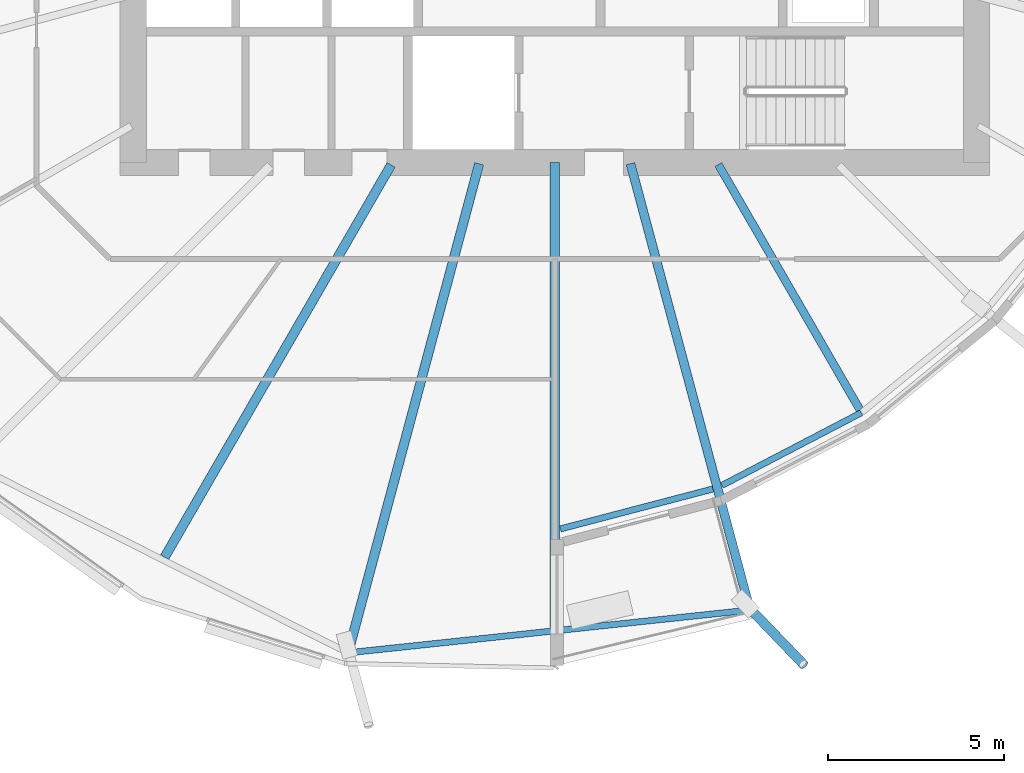
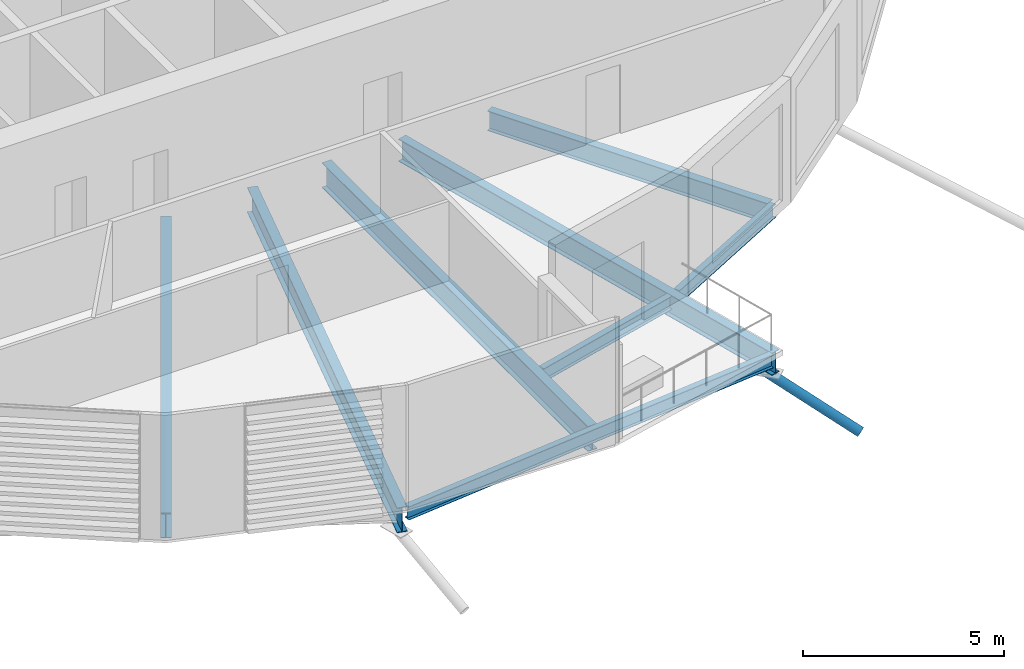
# One storey, part 13 of 43: 8 beams, 1 member.
"""IFC4 building model written with IfcOpenShell, lengths in metres."""

from ifc_helpers import new_model, si_unit, direction, frame, origin, origin_2d, place, context, subcontext, project, spatial, hollow_circle, i_section, extrude, clip, halfspace, material, material_profile, profile_set, type_object, element, save


model = new_model("IFC4")

# Units and contexts
model_context = context("Model", 3, precision=1e-05, world=origin(), true_north=direction((0.0, 1.0)))
body_context = subcontext(model_context, "Body", "Model", "MODEL_VIEW")
ifc_project = project(units=[si_unit("LENGTHUNIT", "METRE"), si_unit("AREAUNIT", "SQUARE_METRE"), si_unit("VOLUMEUNIT", "CUBIC_METRE"), si_unit("PLANEANGLEUNIT", "RADIAN"), si_unit("MASSUNIT", "GRAM", prefix="KILO")], contexts=[model_context])

# Site, building, storey
site_placement = place(None, origin())
site = spatial("IfcSite", under=ifc_project, at=site_placement, CompositionType="ELEMENT")
building_placement = place(site_placement, origin())
building = spatial("IfcBuilding", under=site, at=building_placement, Name="Rimbun Link Towers", CompositionType="ELEMENT")
storey_placement = place(building_placement, frame((0.0, 0.0, 81.60009765625)))
storey = spatial("IfcBuildingStorey", under=building, at=storey_placement, Name="L19", CompositionType="ELEMENT", Elevation=81.60009765625)

# Member
ifc_material_1 = material(Name="Steel S355J2H", Category="steel")
ifc_material_profile_1 = material_profile(ifc_material_1, hollow_circle(Radius=0.136474609375, WallThickness=0.012451171875, at=origin_2d()), Name="CHS 273x12.5")
ifc_profile_set_1 = profile_set([ifc_material_profile_1], Name="Steel S355J2H")
member_type = type_object("IfcMemberType", Name="Floor edge link CHS 273x12.5", PredefinedType="BRACE", material=ifc_profile_set_1)
member_placement = place(storey_placement, frame((37.293701171875, -20.688720703125, -0.96240234375), z_axis=(0.605942405164, -0.629721705224, -0.486090912889), x_axis=(0.720581030435, 0.693370736747, 0.0)))
element("IfcMember", 1, at=member_placement, inside=storey, type_object=member_type, Name="Floor edge link T2 L19 16", PredefinedType="BRACE", context=body_context, shape_type="Clipping", body=[
    clip(extrude(hollow_circle(Radius=0.136474609375, WallThickness=0.012451171875, at=origin_2d()), frame((0.0, 0.0, -0.511474609375)), (0.0, 0.0, 1.0), 3.06787109375), halfspace(frame((0.0, 0.0, -0.240234375), z_axis=(0.0, 0.873908247133, -0.486090912889)), False)),
])

# Beams
ifc_material_2 = material(Name="Steel S355J2", Category="steel")
ifc_material_profile_2 = material_profile(ifc_material_2, i_section(OverallWidth=0.177978515625, OverallDepth=0.406494140625, WebThickness=0.0078125, FlangeThickness=0.0126953125, at=origin_2d()), Name="UB 406x178x60")
ifc_profile_set_2 = profile_set([ifc_material_profile_2], Name="Steel S355J2")
beam_type_1 = type_object("IfcBeamType", Name="UB 406x178x60", PredefinedType="BEAM", material=ifc_profile_set_2)
beam_1_placement = place(storey_placement, frame((26.010498046875, -21.939208984375, -0.36328125), z_axis=(0.994384484621, 0.105827674759, 0.0), x_axis=(-0.105827674759, 0.994384484621, 0.0)))
element("IfcBeam", 2, at=beam_1_placement, inside=storey, type_object=beam_type_1, Name="Edge beam T2 L19 14-16", PredefinedType="BEAM", context=body_context, shape_type="SweptSolid", body=[
    extrude(i_section(OverallWidth=0.177978515625, OverallDepth=0.406494140625, WebThickness=0.0078125, FlangeThickness=0.0126953125, at=origin_2d()), origin(), (0.0, 0.0, 1.0), 11.230224609375),
])
beam_2_placement = place(storey_placement, frame((31.906982421875, -18.428955078125, -0.36328125), z_axis=(0.96737952101, 0.253331526524, 0.0), x_axis=(-0.253331526524, 0.96737952101, 0.0)))
element("IfcBeam", 3, at=beam_2_placement, inside=storey, type_object=beam_type_1, Name="Edge beam T2 L19 15 recess", PredefinedType="BEAM", context=body_context, shape_type="SweptSolid", body=[
    extrude(i_section(OverallWidth=0.177978515625, OverallDepth=0.406494140625, WebThickness=0.0078125, FlangeThickness=0.0126953125, at=origin_2d()), origin(), (0.0, 0.0, 1.0), 4.489990234375),
])
beam_3_placement = place(storey_placement, frame((36.50830078125, -17.189208984375, -0.36328125), z_axis=(0.886725112415, 0.4622970636, 0.0), x_axis=(-0.4622970636, 0.886725112415, 0.0)))
element("IfcBeam", 4, at=beam_3_placement, inside=storey, type_object=beam_type_1, Name="Edge beam T2 L19 16 recess", PredefinedType="BEAM", context=body_context, shape_type="SweptSolid", body=[
    extrude(i_section(OverallWidth=0.177978515625, OverallDepth=0.406494140625, WebThickness=0.0078125, FlangeThickness=0.0126953125, at=origin_2d()), origin(), (0.0, 0.0, 1.0), 4.4677734375),
])
ifc_material_3 = material(Name="Steel S355J2", Category="steel")
ifc_material_profile_3 = material_profile(ifc_material_3, i_section(OverallWidth=0.2275390625, OverallDepth=0.6025390625, WebThickness=0.010498046875, FlangeThickness=0.014892578125, at=origin_2d()), Name="UB 610x229x101")
ifc_profile_set_3 = profile_set([ifc_material_profile_3], Name="Steel S355J2")
beam_type_2 = type_object("IfcBeamType", Name="UB 610x229x101", PredefinedType="BEAM", material=ifc_profile_set_3)
beam_4_placement = place(storey_placement, frame((36.402099609375, -8.057861328125, -0.46142578125), z_axis=(0.500001141088, -0.866024744976, 0.0), x_axis=(0.866024744976, 0.500001141088, 0.0)))
element("IfcBeam", 5, at=beam_4_placement, inside=storey, type_object=beam_type_2, Name="Radial beam T2 L19 17", PredefinedType="BEAM", context=body_context, shape_type="SweptSolid", body=[
    extrude(i_section(OverallWidth=0.2275390625, OverallDepth=0.6025390625, WebThickness=0.010498046875, FlangeThickness=0.014892578125, at=origin_2d()), origin(), (0.0, 0.0, 1.0), 8.0634765625),
])
ifc_material_4 = material(Name="Steel S355J2", Category="steel")
ifc_material_profile_4 = material_profile(ifc_material_4, i_section(OverallWidth=0.253662109375, OverallDepth=0.68359375, WebThickness=0.012451171875, FlangeThickness=0.01904296875, at=origin_2d()), Name="UB 686x254x140")
ifc_profile_set_4 = profile_set([ifc_material_profile_4], Name="Steel S355J2")
beam_type_3 = type_object("IfcBeamType", Name="UB 686x254x140", PredefinedType="BEAM", material=ifc_profile_set_4)
beam_5_placement = place(storey_placement, frame((33.902587890625, -8.03369140625, -0.501953125), z_axis=(0.258815575349, -0.965926756, 0.0), x_axis=(0.965926756, 0.258815575349, 0.0)))
element("IfcBeam", 6, at=beam_5_placement, inside=storey, type_object=beam_type_3, Name="Radial beam T2 L19 16", PredefinedType="BEAM", context=body_context, shape_type="SweptSolid", body=[
    extrude(i_section(OverallWidth=0.253662109375, OverallDepth=0.68359375, WebThickness=0.012451171875, FlangeThickness=0.01904296875, at=origin_2d()), origin(), (0.0, 0.0, 1.0), 13.1513671875),
])
ifc_material_5 = material(Name="Steel S355J2", Category="steel")
ifc_material_profile_5 = material_profile(ifc_material_5, i_section(OverallWidth=0.2666015625, OverallDepth=0.76220703125, WebThickness=0.014404296875, FlangeThickness=0.021484375, at=origin_2d()), Name="UB 762x267x173")
ifc_profile_set_5 = profile_set([ifc_material_profile_5], Name="Steel S355J2")
beam_type_4 = type_object("IfcBeamType", Name="UB 762x267x173", PredefinedType="BEAM", material=ifc_profile_set_5)
beam_6_placement = place(storey_placement, frame((27.09228515625, -8.0673828125, -0.541259765625), z_axis=(-0.500006572533, -0.866021609098, 0.0), x_axis=(0.866021609098, -0.500006572533, 0.0)))
element("IfcBeam", 7, at=beam_6_placement, inside=storey, type_object=beam_type_4, Name="Radial beam T2 L19 13", PredefinedType="BEAM", context=body_context, shape_type="SweptSolid", body=[
    extrude(i_section(OverallWidth=0.2666015625, OverallDepth=0.76220703125, WebThickness=0.014404296875, FlangeThickness=0.021484375, at=origin_2d()), origin(), (0.0, 0.0, 1.0), 12.892822265625),
])
beam_7_placement = place(storey_placement, frame((29.596923828125, -8.035400390625, -0.541259765625), z_axis=(-0.258813996805, -0.965927178962, 0.0), x_axis=(0.965927178962, -0.258813996805, 0.0)))
element("IfcBeam", 8, at=beam_7_placement, inside=storey, type_object=beam_type_4, Name="Radial beam T2 L19 14", PredefinedType="BEAM", context=body_context, shape_type="SweptSolid", body=[
    extrude(i_section(OverallWidth=0.2666015625, OverallDepth=0.76220703125, WebThickness=0.014404296875, FlangeThickness=0.021484375, at=origin_2d()), origin(), (0.0, 0.0, 1.0), 14.409912109375),
])
beam_8_placement = place(storey_placement, frame((31.75, -8.0009765625, -0.541259765625), z_axis=(0.0, -1.0, 0.0), x_axis=(1.0, 0.0, 0.0)))
element("IfcBeam", 9, at=beam_8_placement, inside=storey, type_object=beam_type_4, Name="Radial beam T2 L19 15", PredefinedType="BEAM", context=body_context, shape_type="SweptSolid", body=[
    extrude(i_section(OverallWidth=0.2666015625, OverallDepth=0.76220703125, WebThickness=0.014404296875, FlangeThickness=0.021484375, at=origin_2d()), origin(), (0.0, 0.0, 1.0), 13.23681640625),
])

save(model, "model.ifc")
